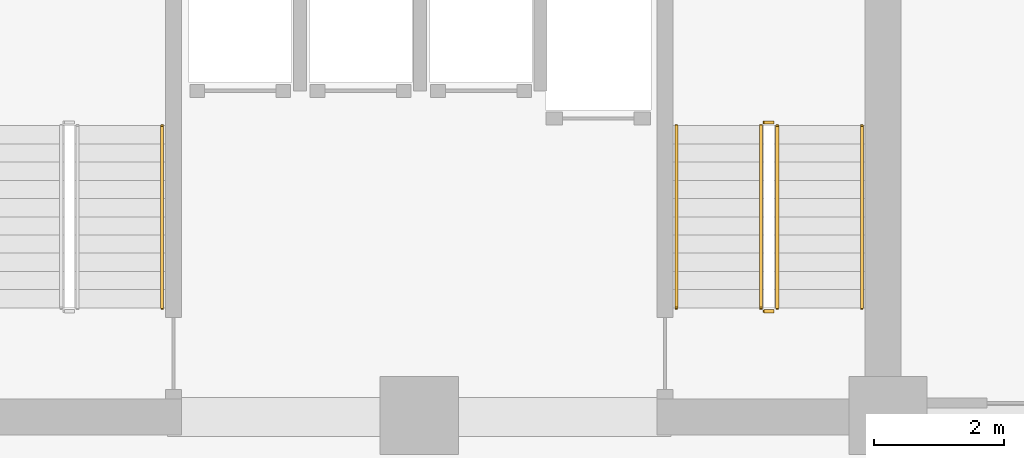
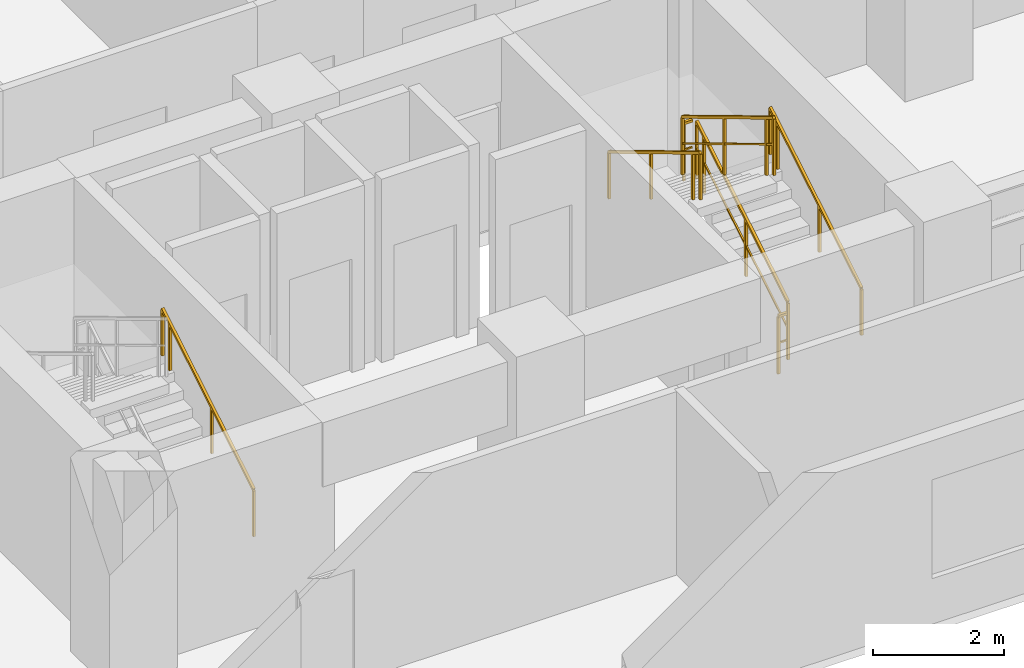
# One storey, part 10 of 11: 7 railings.
"""IFC4 building model written with IfcOpenShell, lengths in metres."""

from ifc_helpers import new_model, si_unit, direction, frame, origin, origin_2d, place, context, subcontext, project, spatial, rectangle, extrude, material, type_object, element, save


model = new_model("IFC4")

# Units and contexts
model_context = context("Model", 3, precision=1e-05, world=origin(), true_north=direction((0.0, 1.0)))
body_context = subcontext(model_context, "Body", "Model", "MODEL_VIEW")
ifc_project = project(units=[si_unit("LENGTHUNIT", "METRE"), si_unit("AREAUNIT", "SQUARE_METRE"), si_unit("VOLUMEUNIT", "CUBIC_METRE"), si_unit("PLANEANGLEUNIT", "RADIAN"), si_unit("MASSUNIT", "GRAM", prefix="KILO")], contexts=[model_context])

# Site, building, storey
site_placement = place(None, origin())
site = spatial("IfcSite", under=ifc_project, at=site_placement, CompositionType="ELEMENT")
building_placement = place(site_placement, origin())
building = spatial("IfcBuilding", under=site, at=building_placement, Name="Kaliganga Portal Commons", CompositionType="ELEMENT")
storey_placement = place(building_placement, frame((0.0, 0.0, 86.0)))
storey = spatial("IfcBuildingStorey", under=building, at=storey_placement, Name="L21", CompositionType="ELEMENT", Elevation=86.0)

# Railings
ifc_material_1 = material(Name="Galvanized Painted Steel Balustrade", Category="steel")
railing_type_1 = type_object("IfcRailingType", Name="RLG-STAIR-GRD", PredefinedType="GUARDRAIL", material=ifc_material_1)
railing_1_placement = place(storey_placement, frame((48.699951171875, 8.699951171875, 0.168212890625)))
element("IfcRailing", 1, at=railing_1_placement, inside=storey, type_object=railing_type_1, Name="L21 ST-B2 stair guard 1", PredefinedType="GUARDRAIL", context=body_context, shape_type="SweptSolid", body=[
    extrude(rectangle(XDim=0.048095703125, YDim=0.048095703125, at=origin_2d()), frame((0.0, 0.0, 1.072021484375), z_axis=(0.0, 0.857242210791, 0.514913383045), x_axis=(-1.0, 0.0, 0.0)), (0.0, 0.0, 1.0), 3.266357421875),
    extrude(rectangle(XDim=0.028076171875, YDim=0.028076171875, at=origin_2d()), frame((0.0, 0.0, 0.572021484375), z_axis=(0.0, 0.857242210791, 0.514913383045), x_axis=(-1.0, 0.0, 0.0)), (0.0, 0.0, 1.0), 3.266357421875),
    extrude(rectangle(XDim=0.0419921875, YDim=0.0419921875, at=origin_2d()), origin(), (0.0, 0.0, 1.0), 1.052001953125),
    extrude(rectangle(XDim=0.0419921875, YDim=0.0419921875, at=origin_2d()), frame((0.0, 1.285888671875, 0.7724609375)), (0.0, 0.0, 1.0), 1.052001953125),
    extrude(rectangle(XDim=0.0419921875, YDim=0.0419921875, at=origin_2d()), frame((0.0, 2.57177734375, 1.544677734375)), (0.0, 0.0, 1.0), 1.052001953125),
    extrude(rectangle(XDim=0.0419921875, YDim=0.0419921875, at=origin_2d()), frame((0.0, 2.800048828125, 1.681884765625)), (0.0, 0.0, 1.0), 1.052001953125),
])
railing_2_placement = place(storey_placement, frame((48.64990234375, 11.550048828125, 1.85009765625)))
element("IfcRailing", 2, at=railing_2_placement, inside=storey, type_object=railing_type_1, Name="L21 ST-B2 stair guard 2", PredefinedType="GUARDRAIL", context=body_context, shape_type="SweptSolid", body=[
    extrude(rectangle(XDim=0.048095703125, YDim=0.048095703125, at=origin_2d()), frame((0.0, 0.0, 1.076171875), z_axis=(-1.0, 0.0, 0.0), x_axis=(0.0, -1.0, 0.0)), (0.0, 0.0, 1.0), 0.14990234375),
    extrude(rectangle(XDim=0.028076171875, YDim=0.028076171875, at=origin_2d()), frame((0.0, 0.0, 0.572021484375), z_axis=(-1.0, 0.0, 0.0), x_axis=(0.0, -1.0, 0.0)), (0.0, 0.0, 1.0), 0.14990234375),
    extrude(rectangle(XDim=0.0419921875, YDim=0.0419921875, at=origin_2d()), frame((-0.14990234375, 0.0, 0.0)), (0.0, 0.0, 1.0), 1.052001953125),
])
railing_3_placement = place(storey_placement, frame((48.449951171875, 11.5, 2.01806640625)))
element("IfcRailing", 3, at=railing_3_placement, inside=storey, type_object=railing_type_1, Name="L21 ST-B2 stair guard 3", PredefinedType="GUARDRAIL", context=body_context, shape_type="SweptSolid", body=[
    extrude(rectangle(XDim=0.048095703125, YDim=0.048095703125, at=origin_2d()), frame((0.0, 0.0, 1.072021484375), z_axis=(0.0, -0.857242210791, 0.514913383045), x_axis=(1.0, 0.0, 0.0)), (0.0, 0.0, 1.0), 3.266357421875),
    extrude(rectangle(XDim=0.028076171875, YDim=0.028076171875, at=origin_2d()), frame((0.0, 0.0, 0.572021484375), z_axis=(0.0, -0.857242210791, 0.514913383045), x_axis=(1.0, 0.0, 0.0)), (0.0, 0.0, 1.0), 3.266357421875),
    extrude(rectangle(XDim=0.0419921875, YDim=0.0419921875, at=origin_2d()), origin(), (0.0, 0.0, 1.0), 1.052001953125),
    extrude(rectangle(XDim=0.0419921875, YDim=0.0419921875, at=origin_2d()), frame((0.0, -1.285888671875, 0.7724609375)), (0.0, 0.0, 1.0), 1.052001953125),
    extrude(rectangle(XDim=0.0419921875, YDim=0.0419921875, at=origin_2d()), frame((0.0, -2.57177734375, 1.544677734375)), (0.0, 0.0, 1.0), 1.052001953125),
    extrude(rectangle(XDim=0.0419921875, YDim=0.0419921875, at=origin_2d()), frame((0.0, -2.800048828125, 1.681884765625)), (0.0, 0.0, 1.0), 1.052001953125),
])
railing_4_placement = place(storey_placement, frame((48.64990234375, 8.64990234375, 0.0)))
element("IfcRailing", 4, at=railing_4_placement, inside=storey, type_object=railing_type_1, Name="L21 ST-B2 stair guard 4", PredefinedType="GUARDRAIL", context=body_context, shape_type="SweptSolid", body=[
    extrude(rectangle(XDim=0.048095703125, YDim=0.048095703125, at=origin_2d()), frame((0.0, 0.0, 1.076171875), z_axis=(-1.0, 0.0, 0.0), x_axis=(0.0, -1.0, 0.0)), (0.0, 0.0, 1.0), 0.14990234375),
    extrude(rectangle(XDim=0.028076171875, YDim=0.028076171875, at=origin_2d()), frame((0.0, 0.0, 0.572021484375), z_axis=(-1.0, 0.0, 0.0), x_axis=(0.0, -1.0, 0.0)), (0.0, 0.0, 1.0), 0.14990234375),
    extrude(rectangle(XDim=0.0419921875, YDim=0.0419921875, at=origin_2d()), frame((-0.14990234375, 0.0, 0.0)), (0.0, 0.0, 1.0), 1.052001953125),
])
ifc_material_2 = material(Name="Brushed Stainless Steel 316", Category="steel")
railing_type_2 = type_object("IfcRailingType", Name="RLG-STAIR-HR", PredefinedType="HANDRAIL", material=ifc_material_2)
for number, where, name in (
    (5, (39.25, 8.699951171875, 0.168212890625), "L21 ST-B1 stair handrail 1"),
    (6, (50.0, 8.699951171875, 0.168212890625), "L21 ST-B2 stair handrail 1"),
):
    element("IfcRailing", number, at=place(storey_placement, frame(where)), inside=storey, type_object=railing_type_2, Name=name, PredefinedType="HANDRAIL", context=body_context, shape_type="SweptSolid", body=[
        extrude(rectangle(XDim=0.048095703125, YDim=0.048095703125, at=origin_2d()), frame((0.0, 0.0, 0.871826171875), z_axis=(0.0, 0.857242210791, 0.514913383045), x_axis=(-1.0, 0.0, 0.0)), (0.0, 0.0, 1.0), 3.266357421875),
        extrude(rectangle(XDim=0.0419921875, YDim=0.0419921875, at=origin_2d()), origin(), (0.0, 0.0, 1.0), 0.851806640625),
        extrude(rectangle(XDim=0.0419921875, YDim=0.0419921875, at=origin_2d()), frame((0.0, 1.285888671875, 0.7724609375)), (0.0, 0.0, 1.0), 0.851806640625),
        extrude(rectangle(XDim=0.0419921875, YDim=0.0419921875, at=origin_2d()), frame((0.0, 2.57177734375, 1.544677734375)), (0.0, 0.0, 1.0), 0.851806640625),
        extrude(rectangle(XDim=0.0419921875, YDim=0.0419921875, at=origin_2d()), frame((0.0, 2.800048828125, 1.681884765625)), (0.0, 0.0, 1.0), 0.851806640625),
    ])
railing_5_placement = place(storey_placement, frame((47.14990234375, 11.5, 2.01806640625)))
element("IfcRailing", 7, at=railing_5_placement, inside=storey, type_object=railing_type_2, Name="L21 ST-B2 stair handrail 2", PredefinedType="HANDRAIL", context=body_context, shape_type="SweptSolid", body=[
    extrude(rectangle(XDim=0.048095703125, YDim=0.048095703125, at=origin_2d()), frame((0.0, 0.0, 0.871826171875), z_axis=(0.0, -0.857242210791, 0.514913383045), x_axis=(1.0, 0.0, 0.0)), (0.0, 0.0, 1.0), 3.266357421875),
    extrude(rectangle(XDim=0.0419921875, YDim=0.0419921875, at=origin_2d()), origin(), (0.0, 0.0, 1.0), 0.851806640625),
    extrude(rectangle(XDim=0.0419921875, YDim=0.0419921875, at=origin_2d()), frame((0.0, -1.285888671875, 0.7724609375)), (0.0, 0.0, 1.0), 0.851806640625),
    extrude(rectangle(XDim=0.0419921875, YDim=0.0419921875, at=origin_2d()), frame((0.0, -2.57177734375, 1.544677734375)), (0.0, 0.0, 1.0), 0.851806640625),
    extrude(rectangle(XDim=0.0419921875, YDim=0.0419921875, at=origin_2d()), frame((0.0, -2.800048828125, 1.681884765625)), (0.0, 0.0, 1.0), 0.851806640625),
])

save(model, "model.ifc")
